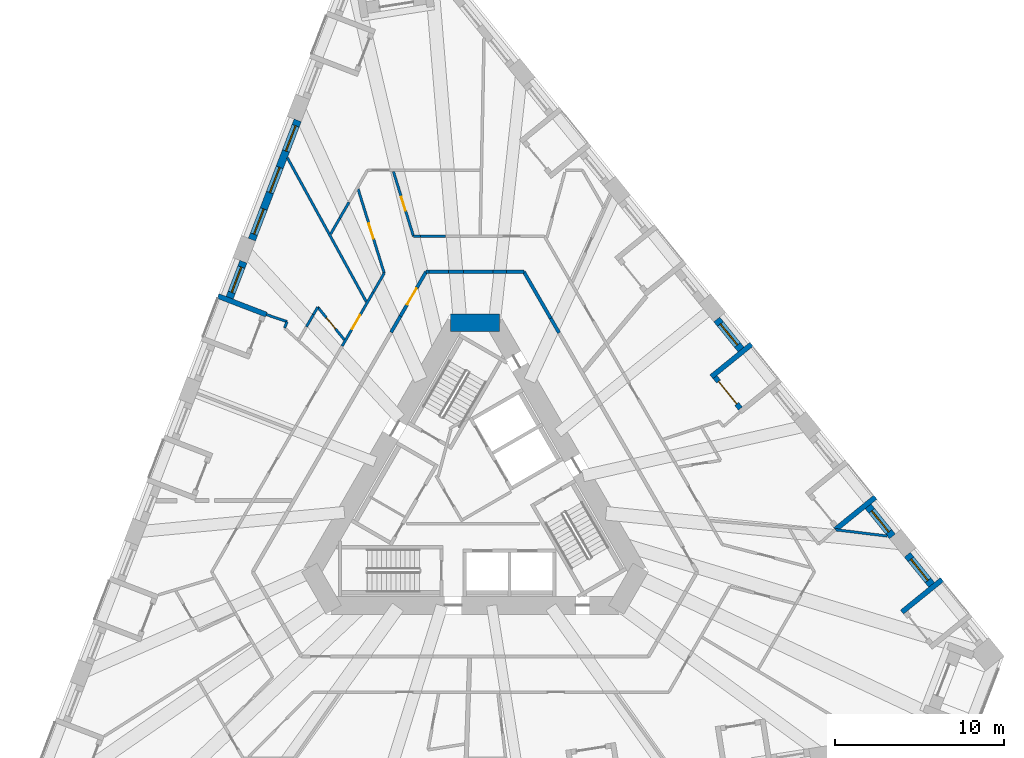
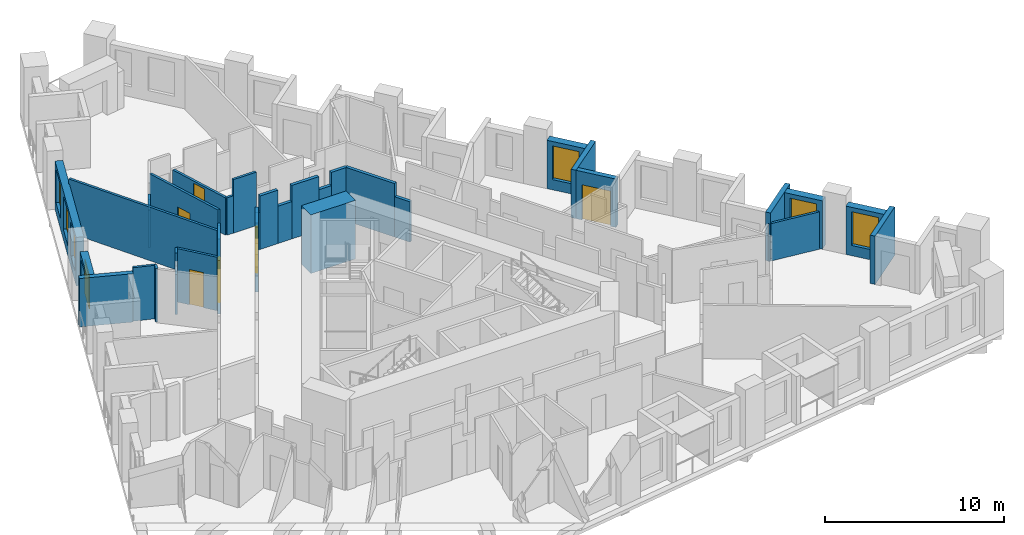
# One storey, part 8 of 14: 37 walls, 7 windows, 6 doors, 13 openings.
"""IFC4 building model written with IfcOpenShell, lengths in metres."""

from ifc_helpers import new_model, si_unit, direction, frame, frame_2d, origin, place, context, subcontext, project, spatial, rectangle, extrude, material, layer, layer_set, type_object, element, fill, save


model = new_model("IFC4")

# Units and contexts
model_context = context("Model", 3, precision=1e-05, world=origin(), true_north=direction((0.0, 1.0)))
body_context = subcontext(model_context, "Body", "Model", "MODEL_VIEW")
ifc_project = project(units=[si_unit("LENGTHUNIT", "METRE"), si_unit("AREAUNIT", "SQUARE_METRE"), si_unit("VOLUMEUNIT", "CUBIC_METRE"), si_unit("PLANEANGLEUNIT", "RADIAN"), si_unit("MASSUNIT", "GRAM", prefix="KILO")], contexts=[model_context])

# Site, building, storey
site_placement = place(None, origin())
site = spatial("IfcSite", under=ifc_project, at=site_placement, CompositionType="ELEMENT")
building_placement = place(site_placement, origin())
building = spatial("IfcBuilding", under=site, at=building_placement, Name="Tramontana Tower", CompositionType="ELEMENT")
storey_placement = place(building_placement, frame((0.0, 0.0, 63.199951171875)))
storey = spatial("IfcBuildingStorey", under=building, at=storey_placement, Name="L13", CompositionType="ELEMENT", Elevation=63.199951171875)

# Walls
ifc_material_1 = material(Name="Concrete 70 MPa", Category="concrete")
ifc_layer_1 = layer(ifc_material_1, 1.050048828125)
ifc_layer_set_1 = layer_set([ifc_layer_1], Name="Core wall 1050 70 MPa")
wall_type_1 = type_object("IfcWallType", Name="Core wall 1050 70 MPa", PredefinedType="SHEAR", material=ifc_layer_set_1)
wall_1_placement = place(storey_placement, frame((1.443359375, 10.47509765625, 0.0), z_axis=(0.0, 0.0, 1.0), x_axis=(-1.0, 0.0, 0.0)))
element("IfcWall", 1, at=wall_1_placement, inside=storey, type_object=wall_type_1, Name="Core wall C0 L13", PredefinedType="SHEAR", context=body_context, shape_type="SweptSolid", body=[
    extrude(rectangle(XDim=2.88671875, YDim=1.050048828125, at=frame_2d((1.443359375, 0.0))), origin(), (0.0, 0.0, 1.0), 4.0),
])
ifc_material_2 = material(Name="Blockwork", Category="masonry")
ifc_layer_2 = layer(ifc_material_2, 0.199951171875)
ifc_layer_set_2 = layer_set([ifc_layer_2], Name="ENTRY WALL 200")
wall_type_2 = type_object("IfcWallType", Name="ENTRY WALL 200", PredefinedType="SOLIDWALL", material=ifc_layer_set_2)
wall_2_placement = place(storey_placement, frame((2.88671875, 13.5, 0.0), z_axis=(0.0, 0.0, 1.0), x_axis=(0.50003154259, -0.866007191896, 0.0)))
element("IfcWall", 2, at=wall_2_placement, inside=storey, type_object=wall_type_2, Name="Wall v11-ew0-0", PredefinedType="SOLIDWALL", context=body_context, shape_type="SweptSolid", body=[
    extrude(rectangle(XDim=3.190673828125, YDim=0.199951171875, at=frame_2d((1.59521484375, 0.0))), origin(), (0.0, 0.0, 1.0), 3.650146484375),
])
wall_3_placement = place(storey_placement, frame((4.482177734375, 10.73681640625, 0.0), z_axis=(0.0, 0.0, 1.0), x_axis=(0.499966601515, -0.86604468555, 0.0)))
element("IfcWall", 3, at=wall_3_placement, inside=storey, type_object=wall_type_2, Name="Wall v11-ew0-1", PredefinedType="SOLIDWALL", context=body_context, shape_type="SweptSolid", body=[
    extrude(rectangle(XDim=0.98095703125, YDim=0.199951171875, at=frame_2d((0.490478515625, 0.0))), origin(), (0.0, 0.0, 1.0), 2.75),
])
wall_4_placement = place(storey_placement, frame((-4.95751953125, 9.913330078125, 0.0), z_axis=(0.0, 0.0, 1.0), x_axis=(0.499951133605, 0.866053614973, 0.0)))
element("IfcWall", 4, at=wall_4_placement, inside=storey, type_object=wall_type_2, Name="Wall v11-ew4-7", PredefinedType="SOLIDWALL", context=body_context, shape_type="SweptSolid", body=[
    extrude(rectangle(XDim=1.10888671875, YDim=0.199951171875, at=frame_2d((0.554443359375, 0.0))), origin(), (0.0, 0.0, 1.0), 2.550048828125),
])

# Wall, opening, door
wall_5_placement = place(storey_placement, frame((-4.403076171875, 10.873779296875, 0.0), z_axis=(0.0, 0.0, 1.0), x_axis=(0.500059920742, 0.865990805764, 0.0)))
wall_5 = element("IfcWall", 5, at=wall_5_placement, inside=storey, type_object=wall_type_2, Name="Wall v11-ew4-8", PredefinedType="SOLIDWALL", context=body_context, shape_type="SweptSolid", body=[
    extrude(rectangle(XDim=1.962158203125, YDim=0.199951171875, at=frame_2d((0.98095703125, 0.0))), origin(), (0.0, 0.0, 1.0), 3.650146484375),
])
opening_1_placement = place(wall_5_placement, frame((0.789306640625, 0.0, 0.0)))
opening_1 = element("IfcOpeningElement", 6, at=opening_1_placement, cuts=wall_5, Name="Opening B1B-29", PredefinedType="OPENING", context=body_context, shape_type="SweptSolid", body=[
    extrude(rectangle(XDim=1.10009765625, YDim=2.39990234375, at=frame_2d((0.550048828125, 1.199951171875))), frame((0.0, 0.10986328125, 0.0), z_axis=(0.0, -1.0, 0.0), x_axis=(1.0, 0.0, 0.0)), (0.0, 0.0, 1.0), 0.219970703125),
])
ifc_material_3 = material(Name="Painted timber", Category="wood")
door_type_1 = type_object("IfcDoorType", Name="DOOR ENTRY 1100", OperationType="SINGLE_SWING_LEFT", PredefinedType="DOOR", material=ifc_material_3)
door_1_placement = place(opening_1_placement, origin())
door_1 = element("IfcDoor", 7, at=door_1_placement, inside=storey, type_object=door_type_1, Name="Door B1B-29", OperationType="SINGLE_SWING_LEFT", OverallHeight=2.39990234375, OverallWidth=1.10009765625, PredefinedType="DOOR", context=body_context, shape_type="SweptSolid", body=[
    extrude(rectangle(XDim=1.10009765625, YDim=2.39990234375, at=frame_2d((0.550048828125, 1.199951171875))), frame((0.0, 0.02490234375, 0.0), z_axis=(0.0, -1.0, 0.0), x_axis=(1.0, 0.0, 0.0)), (0.0, 0.0, 1.0), 0.050048828125),
])
fill(opening_1, door_1)

# Walls
wall_6_placement = place(storey_placement, frame((-3.421875, 12.572998046875, 0.0), z_axis=(0.0, 0.0, 1.0), x_axis=(0.49996596245, 0.866045054481, 0.0)))
element("IfcWall", 8, at=wall_6_placement, inside=storey, type_object=wall_type_2, Name="Wall v11-ew4-9", PredefinedType="SOLIDWALL", context=body_context, shape_type="SweptSolid", body=[
    extrude(rectangle(XDim=1.0703125, YDim=0.199951171875, at=frame_2d((0.53515625, 0.0))), origin(), (0.0, 0.0, 1.0), 2.550048828125),
])
wall_7_placement = place(storey_placement, frame((-2.88671875, 13.5, 0.0), z_axis=(0.0, 0.0, 1.0), x_axis=(1.0, 0.0, 0.0)))
element("IfcWall", 9, at=wall_7_placement, inside=storey, type_object=wall_type_2, Name="Wall v11-ew5-0", PredefinedType="SOLIDWALL", context=body_context, shape_type="SweptSolid", body=[
    extrude(rectangle(XDim=0.171142578125, YDim=0.199951171875, at=frame_2d((0.08544921875, 0.0))), origin(), (0.0, 0.0, 1.0), 2.550048828125),
])
wall_8_placement = place(storey_placement, frame((-2.715576171875, 13.5, 0.0), z_axis=(0.0, 0.0, 1.0), x_axis=(1.0, 0.0, 0.0)))
element("IfcWall", 10, at=wall_8_placement, inside=storey, type_object=wall_type_2, Name="Wall v11-ew5-1", PredefinedType="SOLIDWALL", context=body_context, shape_type="SweptSolid", body=[
    extrude(rectangle(XDim=1.141357421875, YDim=0.199951171875, at=frame_2d((0.57080078125, 0.0))), origin(), (0.0, 0.0, 1.0), 3.650146484375),
])
wall_9_placement = place(storey_placement, frame((-1.57421875, 13.5, 0.0), z_axis=(0.0, 0.0, 1.0), x_axis=(1.0, 0.0, 0.0)))
element("IfcWall", 11, at=wall_9_placement, inside=storey, type_object=wall_type_2, Name="Wall v11-ew5-2", PredefinedType="SOLIDWALL", context=body_context, shape_type="SweptSolid", body=[
    extrude(rectangle(XDim=0.903076171875, YDim=0.199951171875, at=frame_2d((0.45166015625, 0.0))), origin(), (0.0, 0.0, 1.0), 2.550048828125),
])
wall_10_placement = place(storey_placement, frame((-0.671142578125, 13.5, 0.0), z_axis=(0.0, 0.0, 1.0), x_axis=(1.0, 0.0, 0.0)))
element("IfcWall", 12, at=wall_10_placement, inside=storey, type_object=wall_type_2, Name="Wall v11-ew5-3", PredefinedType="SOLIDWALL", context=body_context, shape_type="SweptSolid", body=[
    extrude(rectangle(XDim=1.745361328125, YDim=0.199951171875, at=frame_2d((0.87255859375, 0.0))), origin(), (0.0, 0.0, 1.0), 3.650146484375),
])
wall_11_placement = place(storey_placement, frame((1.07421875, 13.5, 0.0), z_axis=(0.0, 0.0, 1.0), x_axis=(1.0, 0.0, 0.0)))
element("IfcWall", 13, at=wall_11_placement, inside=storey, type_object=wall_type_2, Name="Wall v11-ew5-4", PredefinedType="SOLIDWALL", context=body_context, shape_type="SweptSolid", body=[
    extrude(rectangle(XDim=0.804931640625, YDim=0.199951171875, at=frame_2d((0.40234375, 0.0))), origin(), (0.0, 0.0, 1.0), 2.75),
])
wall_12_placement = place(storey_placement, frame((1.879150390625, 13.5, 0.0), z_axis=(0.0, 0.0, 1.0), x_axis=(1.0, 0.0, 0.0)))
element("IfcWall", 14, at=wall_12_placement, inside=storey, type_object=wall_type_2, Name="Wall v11-ew5-5", PredefinedType="SOLIDWALL", context=body_context, shape_type="SweptSolid", body=[
    extrude(rectangle(XDim=1.007568359375, YDim=0.199951171875, at=frame_2d((0.50390625, 0.0))), origin(), (0.0, 0.0, 1.0), 3.650146484375),
])

# Wall, openings, windows
ifc_material_4 = material(Name="Precast concrete 60 MPa", Category="concrete")
ifc_layer_3 = layer(ifc_material_4, 0.449951171875)
ifc_layer_set_3 = layer_set([ifc_layer_3], Name="Precast concrete 60 MPa, 450 mm")
wall_type_3 = type_object("IfcWallType", Name="EW1 Stone-faced precast wall 450", PredefinedType="SOLIDWALL", material=ifc_layer_set_3)
wall_13_placement = place(storey_placement, frame((-10.47802734375, 22.443603515625, 0.0), z_axis=(0.0, 0.0, 1.0), x_axis=(-0.358339674384, -0.933591279823, 0.0)))
wall_13 = element("IfcWall", 15, at=wall_13_placement, inside=storey, type_object=wall_type_3, Name="External wall L13 face 0 bay 2", PredefinedType="SOLIDWALL", context=body_context, shape_type="SweptSolid", body=[
    extrude(rectangle(XDim=7.548828125, YDim=0.449951171875, at=frame_2d((3.7744140625, 0.0))), origin(), (0.0, 0.0, 1.0), 3.300048828125),
])
opening_2_placement = place(wall_13_placement, frame((0.341552734375, 0.0, 0.699951171875)))
opening_2 = element("IfcOpeningElement", 16, at=opening_2_placement, cuts=wall_13, Name="Opening M1", PredefinedType="OPENING", context=body_context, shape_type="SweptSolid", body=[
    extrude(rectangle(XDim=1.60009765625, YDim=2.300048828125, at=frame_2d((0.800048828125, 1.14990234375))), frame((0.0, 0.23486328125, 0.0), z_axis=(0.0, -1.0, 0.0), x_axis=(1.0, 0.0, 0.0)), (0.0, 0.0, 1.0), 0.469970703125),
])
opening_3_placement = place(wall_13_placement, frame((2.974365234375, 0.0, 0.699951171875)))
opening_3 = element("IfcOpeningElement", 17, at=opening_3_placement, cuts=wall_13, Name="Opening M1", PredefinedType="OPENING", context=body_context, shape_type="SweptSolid", body=[
    extrude(rectangle(XDim=1.60009765625, YDim=2.300048828125, at=frame_2d((0.800048828125, 1.14990234375))), frame((0.0, 0.23486328125, 0.0), z_axis=(0.0, -1.0, 0.0), x_axis=(1.0, 0.0, 0.0)), (0.0, 0.0, 1.0), 0.469970703125),
])
opening_4_placement = place(wall_13_placement, frame((5.607421875, 0.0, 0.699951171875)))
opening_4 = element("IfcOpeningElement", 18, at=opening_4_placement, cuts=wall_13, Name="Opening M1", PredefinedType="OPENING", context=body_context, shape_type="SweptSolid", body=[
    extrude(rectangle(XDim=1.60009765625, YDim=2.300048828125, at=frame_2d((0.800048828125, 1.14990234375))), frame((0.0, 0.23486328125, 0.0), z_axis=(0.0, -1.0, 0.0), x_axis=(1.0, 0.0, 0.0)), (0.0, 0.0, 1.0), 0.469970703125),
])
ifc_material_5 = material(Name="Aluminum frame, double glazing unit", Category="aluminium")
window_type = type_object("IfcWindowType", Name="M1 Window 1.6 x 2.3", PartitioningType="SINGLE_PANEL", PredefinedType="WINDOW", material=ifc_material_5)
window_1_placement = place(opening_2_placement, origin())
window_1 = element("IfcWindow", 19, at=window_1_placement, inside=storey, type_object=window_type, Name="Window M1 L13 face 0 module 4", OverallHeight=2.300048828125, OverallWidth=1.60009765625, PartitioningType="SINGLE_PANEL", PredefinedType="WINDOW", context=body_context, shape_type="SweptSolid", body=[
    extrude(rectangle(XDim=1.60009765625, YDim=2.300048828125, at=frame_2d((0.800048828125, 1.14990234375))), frame((0.0, 0.030029296875, 0.0), z_axis=(0.0, -1.0, 0.0), x_axis=(1.0, 0.0, 0.0)), (0.0, 0.0, 1.0), 0.06005859375),
])
fill(opening_2, window_1)
window_2_placement = place(opening_3_placement, origin())
window_2 = element("IfcWindow", 20, at=window_2_placement, inside=storey, type_object=window_type, Name="Window M1 L13 face 0 module 5", OverallHeight=2.300048828125, OverallWidth=1.60009765625, PartitioningType="SINGLE_PANEL", PredefinedType="WINDOW", context=body_context, shape_type="SweptSolid", body=[
    extrude(rectangle(XDim=1.60009765625, YDim=2.300048828125, at=frame_2d((0.800048828125, 1.14990234375))), frame((0.0, 0.030029296875, 0.0), z_axis=(0.0, -1.0, 0.0), x_axis=(1.0, 0.0, 0.0)), (0.0, 0.0, 1.0), 0.06005859375),
])
fill(opening_3, window_2)
window_3_placement = place(opening_4_placement, origin())
window_3 = element("IfcWindow", 21, at=window_3_placement, inside=storey, type_object=window_type, Name="Window M1 L13 face 0 module 6", OverallHeight=2.300048828125, OverallWidth=1.60009765625, PartitioningType="SINGLE_PANEL", PredefinedType="WINDOW", context=body_context, shape_type="SweptSolid", body=[
    extrude(rectangle(XDim=1.60009765625, YDim=2.300048828125, at=frame_2d((0.800048828125, 1.14990234375))), frame((0.0, 0.030029296875, 0.0), z_axis=(0.0, -1.0, 0.0), x_axis=(1.0, 0.0, 0.0)), (0.0, 0.0, 1.0), 0.06005859375),
])
fill(opening_4, window_3)

# Wall, opening, window
wall_14_placement = place(storey_placement, frame((-13.684814453125, 14.0888671875, 0.0), z_axis=(0.0, 0.0, 1.0), x_axis=(-0.35844875217, -0.933549405264, 0.0)))
wall_14 = element("IfcWall", 22, at=wall_14_placement, inside=storey, type_object=wall_type_3, Name="External wall L13 face 0 bay 3", PredefinedType="SOLIDWALL", context=body_context, shape_type="SweptSolid", body=[
    extrude(rectangle(XDim=2.282958984375, YDim=0.449951171875, at=frame_2d((1.1416015625, 0.0))), origin(), (0.0, 0.0, 1.0), 3.300048828125),
])
opening_5_placement = place(wall_14_placement, frame((0.341552734375, 0.0, 0.699951171875)))
opening_5 = element("IfcOpeningElement", 23, at=opening_5_placement, cuts=wall_14, Name="Opening M1", PredefinedType="OPENING", context=body_context, shape_type="SweptSolid", body=[
    extrude(rectangle(XDim=1.60009765625, YDim=2.300048828125, at=frame_2d((0.800048828125, 1.14990234375))), frame((0.0, 0.23486328125, 0.0), z_axis=(0.0, -1.0, 0.0), x_axis=(1.0, 0.0, 0.0)), (0.0, 0.0, 1.0), 0.469970703125),
])
window_4_placement = place(opening_5_placement, origin())
window_4 = element("IfcWindow", 24, at=window_4_placement, inside=storey, type_object=window_type, Name="Window M1 L13 face 0 module 7", OverallHeight=2.300048828125, OverallWidth=1.60009765625, PartitioningType="SINGLE_PANEL", PredefinedType="WINDOW", context=body_context, shape_type="SweptSolid", body=[
    extrude(rectangle(XDim=1.60009765625, YDim=2.300048828125, at=frame_2d((0.800048828125, 1.14990234375))), frame((0.0, 0.030029296875, 0.0), z_axis=(0.0, -1.0, 0.0), x_axis=(1.0, 0.0, 0.0)), (0.0, 0.0, 1.0), 0.06005859375),
])
fill(opening_5, window_4)

wall_15_placement = place(storey_placement, frame((26.993408203125, -5.009765625, 0.0), z_axis=(0.0, 0.0, 1.0), x_axis=(-0.629339730135, 0.777130300576, 0.0)))
wall_15 = element("IfcWall", 25, at=wall_15_placement, inside=storey, type_object=wall_type_3, Name="External wall L13 face 2 bay 1", PredefinedType="SOLIDWALL", context=body_context, shape_type="SweptSolid", body=[
    extrude(rectangle(XDim=2.282958984375, YDim=0.449951171875, at=frame_2d((1.1416015625, 0.0))), origin(), (0.0, 0.0, 1.0), 3.300048828125),
])
opening_6_placement = place(wall_15_placement, frame((0.341552734375, 0.0, 0.699951171875)))
opening_6 = element("IfcOpeningElement", 26, at=opening_6_placement, cuts=wall_15, Name="Opening M1", PredefinedType="OPENING", context=body_context, shape_type="SweptSolid", body=[
    extrude(rectangle(XDim=1.60009765625, YDim=2.300048828125, at=frame_2d((0.800048828125, 1.14990234375))), frame((0.0, 0.23486328125, 0.0), z_axis=(0.0, -1.0, 0.0), x_axis=(1.0, 0.0, 0.0)), (0.0, 0.0, 1.0), 0.469970703125),
])
window_5_placement = place(opening_6_placement, origin())
window_5 = element("IfcWindow", 27, at=window_5_placement, inside=storey, type_object=window_type, Name="Window M1 L13 face 2 module 3", OverallHeight=2.300048828125, OverallWidth=1.60009765625, PartitioningType="SINGLE_PANEL", PredefinedType="WINDOW", context=body_context, shape_type="SweptSolid", body=[
    extrude(rectangle(XDim=1.60009765625, YDim=2.300048828125, at=frame_2d((0.800048828125, 1.14990234375))), frame((0.0, 0.030029296875, 0.0), z_axis=(0.0, -1.0, 0.0), x_axis=(1.0, 0.0, 0.0)), (0.0, 0.0, 1.0), 0.06005859375),
])
fill(opening_6, window_5)

wall_16_placement = place(storey_placement, frame((24.675537109375, -2.147705078125, 0.0), z_axis=(0.0, 0.0, 1.0), x_axis=(-0.629287431131, 0.777172650716, 0.0)))
wall_16 = element("IfcWall", 28, at=wall_16_placement, inside=storey, type_object=wall_type_3, Name="External wall L13 face 2 bay 2", PredefinedType="SOLIDWALL", context=body_context, shape_type="SweptSolid", body=[
    extrude(rectangle(XDim=2.283203125, YDim=0.449951171875, at=frame_2d((1.1416015625, 0.0))), origin(), (0.0, 0.0, 1.0), 3.300048828125),
])
opening_7_placement = place(wall_16_placement, frame((0.341552734375, 0.0, 0.699951171875)))
opening_7 = element("IfcOpeningElement", 29, at=opening_7_placement, cuts=wall_16, Name="Opening M1", PredefinedType="OPENING", context=body_context, shape_type="SweptSolid", body=[
    extrude(rectangle(XDim=1.60009765625, YDim=2.300048828125, at=frame_2d((0.800048828125, 1.14990234375))), frame((0.0, 0.23486328125, 0.0), z_axis=(0.0, -1.0, 0.0), x_axis=(1.0, 0.0, 0.0)), (0.0, 0.0, 1.0), 0.469970703125),
])
window_6_placement = place(opening_7_placement, origin())
window_6 = element("IfcWindow", 30, at=window_6_placement, inside=storey, type_object=window_type, Name="Window M1 L13 face 2 module 4", OverallHeight=2.300048828125, OverallWidth=1.60009765625, PartitioningType="SINGLE_PANEL", PredefinedType="WINDOW", context=body_context, shape_type="SweptSolid", body=[
    extrude(rectangle(XDim=1.60009765625, YDim=2.300048828125, at=frame_2d((0.800048828125, 1.14990234375))), frame((0.0, 0.030029296875, 0.0), z_axis=(0.0, -1.0, 0.0), x_axis=(1.0, 0.0, 0.0)), (0.0, 0.0, 1.0), 0.06005859375),
])
fill(opening_7, window_6)

wall_17_placement = place(storey_placement, frame((15.72998046875, 8.8994140625, 0.0), z_axis=(0.0, 0.0, 1.0), x_axis=(-0.629339730135, 0.777130300576, 0.0)))
wall_17 = element("IfcWall", 31, at=wall_17_placement, inside=storey, type_object=wall_type_3, Name="External wall L13 face 2 bay 3", PredefinedType="SOLIDWALL", context=body_context, shape_type="SweptSolid", body=[
    extrude(rectangle(XDim=2.282958984375, YDim=0.449951171875, at=frame_2d((1.1416015625, 0.0))), origin(), (0.0, 0.0, 1.0), 3.300048828125),
])
opening_8_placement = place(wall_17_placement, frame((0.341552734375, 0.0, 0.699951171875)))
opening_8 = element("IfcOpeningElement", 32, at=opening_8_placement, cuts=wall_17, Name="Opening M1", PredefinedType="OPENING", context=body_context, shape_type="SweptSolid", body=[
    extrude(rectangle(XDim=1.60009765625, YDim=2.300048828125, at=frame_2d((0.800048828125, 1.14990234375))), frame((0.0, 0.23486328125, 0.0), z_axis=(0.0, -1.0, 0.0), x_axis=(1.0, 0.0, 0.0)), (0.0, 0.0, 1.0), 0.469970703125),
])
window_7_placement = place(opening_8_placement, origin())
window_7 = element("IfcWindow", 33, at=window_7_placement, inside=storey, type_object=window_type, Name="Window M1 L13 face 2 module 9", OverallHeight=2.300048828125, OverallWidth=1.60009765625, PartitioningType="SINGLE_PANEL", PredefinedType="WINDOW", context=body_context, shape_type="SweptSolid", body=[
    extrude(rectangle(XDim=1.60009765625, YDim=2.300048828125, at=frame_2d((0.800048828125, 1.14990234375))), frame((0.0, 0.030029296875, 0.0), z_axis=(0.0, -1.0, 0.0), x_axis=(1.0, 0.0, 0.0)), (0.0, 0.0, 1.0), 0.06005859375),
])
fill(opening_8, window_7)

# Walls
ifc_material_6 = material(Name="Precast concrete 60 MPa", Category="concrete")
ifc_layer_4 = layer(ifc_material_6, 0.300048828125)
ifc_layer_set_4 = layer_set([ifc_layer_4], Name="LW1 Stone-faced loggia wall 300")
wall_type_4 = type_object("IfcWallType", Name="LW1 Stone-faced loggia wall 300", PredefinedType="SOLIDWALL", material=ifc_layer_set_4)
for number, where, z_axis, x_axis, name in (
    (34, (-15.18701171875, 12.0595703125, 0.0), (0.0, 0.0, 1.0), (0.933580593625, -0.358367514161, 0.0), "Loggia return L13 G1S0.7a"),
    (35, (27.6123046875, -4.70166015625, 0.0), (0.0, 0.0, 1.0), (-0.777153523895, -0.629311052102, 0.0), "Loggia return L13 G1S2.1b"),
):
    element("IfcWall", number, at=place(storey_placement, frame(where, z_axis=z_axis, x_axis=x_axis)), inside=storey, type_object=wall_type_4, Name=name, PredefinedType="SOLIDWALL", context=body_context, shape_type="SweptSolid", body=[
        extrude(rectangle(XDim=3.050048828125, YDim=0.300048828125, at=frame_2d((1.52490234375, 0.0))), origin(), (0.0, 0.0, 1.0), 3.300048828125),
    ])
wall_18_placement = place(storey_placement, frame((23.6689453125, 0.16796875, 0.0), z_axis=(0.0, 0.0, 1.0), x_axis=(-0.777121820661, -0.629350201281, 0.0)))
element("IfcWall", 36, at=wall_18_placement, inside=storey, type_object=wall_type_4, Name="Loggia return L13 G1S2.4a", PredefinedType="SOLIDWALL", context=body_context, shape_type="SweptSolid", body=[
    extrude(rectangle(XDim=3.0498046875, YDim=0.300048828125, at=frame_2d((1.52490234375, 0.0))), origin(), (0.0, 0.0, 1.0), 3.300048828125),
])

# Wall, opening, door
wall_19_placement = place(storey_placement, frame((15.689208984375, 5.4140625, 0.0), z_axis=(0.0, 0.0, 1.0), x_axis=(-0.629319049918, 0.777147047482, 0.0)))
wall_19 = element("IfcWall", 37, at=wall_19_placement, inside=storey, type_object=wall_type_4, Name="Loggia wall L13 G1S2.7", PredefinedType="SOLIDWALL", context=body_context, shape_type="SweptSolid", body=[
    extrude(rectangle(XDim=2.383056640625, YDim=0.300048828125, at=frame_2d((1.19140625, 0.0))), origin(), (0.0, 0.0, 1.0), 3.300048828125),
])
opening_9_placement = place(wall_19_placement, frame((0.341552734375, 0.0, 0.0)))
opening_9 = element("IfcOpeningElement", 38, at=opening_9_placement, cuts=wall_19, Name="Opening BD-1S2-07", PredefinedType="OPENING", context=body_context, shape_type="SweptSolid", body=[
    extrude(rectangle(XDim=1.699951171875, YDim=2.39990234375, at=frame_2d((0.85009765625, 1.199951171875))), frame((0.0, 0.159912109375, 0.0), z_axis=(0.0, -1.0, 0.0), x_axis=(1.0, 0.0, 0.0)), (0.0, 0.0, 1.0), 0.320068359375),
])
ifc_material_7 = material(Name="Aluminum frame, double glazing unit", Category="aluminium")
door_type_2 = type_object("IfcDoorType", Name="BD1 Sliding door 1.7 x 2.4", OperationType="SLIDING_TO_LEFT", PredefinedType="DOOR", material=ifc_material_7)
door_2_placement = place(opening_9_placement, origin())
door_2 = element("IfcDoor", 39, at=door_2_placement, inside=storey, type_object=door_type_2, Name="Loggia door L13 G1S2.7", OperationType="SLIDING_TO_LEFT", OverallHeight=2.39990234375, OverallWidth=1.699951171875, PredefinedType="DOOR", context=body_context, shape_type="SweptSolid", body=[
    extrude(rectangle(XDim=1.699951171875, YDim=2.39990234375, at=frame_2d((0.85009765625, 1.199951171875))), frame((0.0, 0.02490234375, 0.0), z_axis=(0.0, -1.0, 0.0), x_axis=(1.0, 0.0, 0.0)), (0.0, 0.0, 1.0), 0.050048828125),
])
fill(opening_9, door_2)

# Wall
wall_20_placement = place(storey_placement, frame((16.348876953125, 9.207763671875, 0.0), z_axis=(0.0, 0.0, 1.0), x_axis=(-0.777153523895, -0.629311052102, 0.0)))
element("IfcWall", 40, at=wall_20_placement, inside=storey, type_object=wall_type_4, Name="Loggia return L13 G1S2.7b", PredefinedType="SOLIDWALL", context=body_context, shape_type="SweptSolid", body=[
    extrude(rectangle(XDim=3.050048828125, YDim=0.300048828125, at=frame_2d((1.52490234375, 0.0))), origin(), (0.0, 0.0, 1.0), 3.300048828125),
])

# Wall, opening, door
ifc_material_8 = material(Name="Gypsum board partition")
ifc_layer_5 = layer(ifc_material_8, 0.14990234375)
ifc_layer_set_5 = layer_set([ifc_layer_5], Name="PARTITION 150")
wall_type_5 = type_object("IfcWallType", Name="PARTITION 150", PredefinedType="PARTITIONING", material=ifc_layer_set_5)
wall_21_placement = place(storey_placement, frame((-7.85107421875, 9.1015625, 0.0), z_axis=(0.0, 0.0, 1.0), x_axis=(0.500002145574, 0.866024165033, 0.0)))
wall_21 = element("IfcWall", 41, at=wall_21_placement, inside=storey, type_object=wall_type_5, Name="Wall v11-pw05-6", PredefinedType="PARTITIONING", context=body_context, shape_type="SweptSolid", body=[
    extrude(rectangle(XDim=3.67724609375, YDim=0.14990234375, at=frame_2d((1.838623046875, 0.0))), origin(), (0.0, 0.0, 1.0), 3.650146484375),
])
opening_10_placement = place(wall_21_placement, frame((1.174072265625, 0.0, 0.0)))
opening_10 = element("IfcOpeningElement", 42, at=opening_10_placement, cuts=wall_21, Name="Opening B1B-06", PredefinedType="OPENING", context=body_context, shape_type="SweptSolid", body=[
    extrude(rectangle(XDim=0.949951171875, YDim=2.39990234375, at=frame_2d((0.47509765625, 1.199951171875))), frame((0.0, 0.0849609375, 0.0), z_axis=(0.0, -1.0, 0.0), x_axis=(1.0, 0.0, 0.0)), (0.0, 0.0, 1.0), 0.169921875),
])
ifc_material_9 = material(Name="Painted timber", Category="wood")
door_type_3 = type_object("IfcDoorType", Name="DOOR ROOM 950", OperationType="SINGLE_SWING_LEFT", PredefinedType="DOOR", material=ifc_material_9)
door_3_placement = place(opening_10_placement, origin())
door_3 = element("IfcDoor", 43, at=door_3_placement, inside=storey, type_object=door_type_3, Name="Door B1B-06", OperationType="SINGLE_SWING_RIGHT", OverallHeight=2.39990234375, OverallWidth=0.949951171875, PredefinedType="DOOR", context=body_context, shape_type="SweptSolid", body=[
    extrude(rectangle(XDim=0.949951171875, YDim=2.39990234375, at=frame_2d((0.47509765625, 1.199951171875))), frame((0.0, 0.02490234375, 0.0), z_axis=(0.0, -1.0, 0.0), x_axis=(1.0, 0.0, 0.0)), (0.0, 0.0, 1.0), 0.050048828125),
])
fill(opening_10, door_3)

# Walls
wall_22_placement = place(storey_placement, frame((-6.012451171875, 12.2861328125, 0.0), z_axis=(0.0, 0.0, 1.0), x_axis=(0.49996696679, 0.866044474677, 0.0)))
element("IfcWall", 44, at=wall_22_placement, inside=storey, type_object=wall_type_5, Name="Wall v11-pw05-7", PredefinedType="PARTITIONING", context=body_context, shape_type="SweptSolid", body=[
    extrude(rectangle(XDim=1.29638671875, YDim=0.14990234375, at=frame_2d((0.648193359375, 0.0))), origin(), (0.0, 0.0, 1.0), 2.550048828125),
])
wall_23_placement = place(storey_placement, frame((-11.251953125, 10.171875, 0.0), z_axis=(0.0, 0.0, 1.0), x_axis=(0.358733772411, 0.933439918008, 0.0)))
element("IfcWall", 45, at=wall_23_placement, inside=storey, type_object=wall_type_5, Name="Wall v11-pw13", PredefinedType="PARTITIONING", context=body_context, shape_type="SweptSolid", body=[
    extrude(rectangle(XDim=0.400146484375, YDim=0.14990234375, at=frame_2d((0.2001953125, 0.0))), origin(), (0.0, 0.0, 1.0), 3.650146484375),
])
wall_24_placement = place(storey_placement, frame((-11.109619140625, 10.548095703125, 0.0), z_axis=(0.0, 0.0, 1.0), x_axis=(-0.946710875396, 0.322084644785, 0.0)))
element("IfcWall", 46, at=wall_24_placement, inside=storey, type_object=wall_type_5, Name="Wall v11-pw14", PredefinedType="PARTITIONING", context=body_context, shape_type="SweptSolid", body=[
    extrude(rectangle(XDim=1.29931640625, YDim=0.14990234375, at=frame_2d((0.649658203125, 0.0))), origin(), (0.0, 0.0, 1.0), 3.650146484375),
])
wall_25_placement = place(storey_placement, frame((-9.960205078125, 10.24853515625, 0.0), z_axis=(0.0, 0.0, 1.0), x_axis=(0.499921960197, 0.866070455398, 0.0)))
element("IfcWall", 47, at=wall_25_placement, inside=storey, type_object=wall_type_5, Name="Wall v11-pw18-1", PredefinedType="PARTITIONING", context=body_context, shape_type="SweptSolid", body=[
    extrude(rectangle(XDim=0.812255859375, YDim=0.14990234375, at=frame_2d((0.40625, 0.0))), origin(), (0.0, 0.0, 1.0), 2.75),
])
wall_26_placement = place(storey_placement, frame((-9.55419921875, 10.951904296875, 0.0), z_axis=(0.0, 0.0, 1.0), x_axis=(0.500153222552, 0.865936922628, 0.0)))
element("IfcWall", 48, at=wall_26_placement, inside=storey, type_object=wall_type_5, Name="Wall v11-pw18-2", PredefinedType="PARTITIONING", context=body_context, shape_type="SweptSolid", body=[
    extrude(rectangle(XDim=0.523193359375, YDim=0.14990234375, at=frame_2d((0.26171875, 0.0))), origin(), (0.0, 0.0, 1.0), 3.650146484375),
])

# Wall, opening, door
wall_27_placement = place(storey_placement, frame((-7.72119140625, 9.4765625, 0.0), z_axis=(0.0, 0.0, 1.0), x_axis=(-0.631659843524, 0.775245665631, 0.0)))
wall_27 = element("IfcWall", 49, at=wall_27_placement, inside=storey, type_object=wall_type_5, Name="Wall v11-pw20", PredefinedType="PARTITIONING", context=body_context, shape_type="SweptSolid", body=[
    extrude(rectangle(XDim=2.487548828125, YDim=0.14990234375, at=frame_2d((1.24365234375, 0.0))), origin(), (0.0, 0.0, 1.0), 3.650146484375),
])
opening_11_placement = place(wall_27_placement, frame((0.81884765625, 0.0, 0.0)))
opening_11 = element("IfcOpeningElement", 50, at=opening_11_placement, cuts=wall_27, Name="Opening B1B-11", PredefinedType="OPENING", context=body_context, shape_type="SweptSolid", body=[
    extrude(rectangle(XDim=0.85009765625, YDim=2.39990234375, at=frame_2d((0.425048828125, 1.199951171875))), frame((0.0, 0.0849609375, 0.0), z_axis=(0.0, -1.0, 0.0), x_axis=(1.0, 0.0, 0.0)), (0.0, 0.0, 1.0), 0.169921875),
])
ifc_material_10 = material(Name="Painted timber", Category="wood")
door_type_4 = type_object("IfcDoorType", Name="DOOR BATH 850", OperationType="SINGLE_SWING_LEFT", PredefinedType="DOOR", material=ifc_material_10)
door_4_placement = place(opening_11_placement, origin())
door_4 = element("IfcDoor", 51, at=door_4_placement, inside=storey, type_object=door_type_4, Name="Door B1B-11", OperationType="SINGLE_SWING_LEFT", OverallHeight=2.39990234375, OverallWidth=0.85009765625, PredefinedType="DOOR", context=body_context, shape_type="SweptSolid", body=[
    extrude(rectangle(XDim=0.85009765625, YDim=2.39990234375, at=frame_2d((0.425048828125, 1.199951171875))), frame((0.0, 0.02490234375, 0.0), z_axis=(0.0, -1.0, 0.0), x_axis=(1.0, 0.0, 0.0)), (0.0, 0.0, 1.0), 0.050048828125),
])
fill(opening_11, door_4)

# Walls
wall_28_placement = place(storey_placement, frame((-8.53076171875, 15.724365234375, 0.0), z_axis=(0.0, 0.0, 1.0), x_axis=(0.499993928037, 0.866028909405, 0.0)))
element("IfcWall", 52, at=wall_28_placement, inside=storey, type_object=wall_type_5, Name="Wall v11-pw22-0", PredefinedType="PARTITIONING", context=body_context, shape_type="SweptSolid", body=[
    extrude(rectangle(XDim=1.08984375, YDim=0.14990234375, at=frame_2d((0.544921875, 0.0))), origin(), (0.0, 0.0, 1.0), 3.650146484375),
])
wall_29_placement = place(storey_placement, frame((-7.98583984375, 16.668212890625, 0.0), z_axis=(0.0, 0.0, 1.0), x_axis=(0.500107854436, 0.865963125042, 0.0)))
element("IfcWall", 53, at=wall_29_placement, inside=storey, type_object=wall_type_5, Name="Wall v11-pw22-1", PredefinedType="PARTITIONING", context=body_context, shape_type="SweptSolid", body=[
    extrude(rectangle(XDim=1.078369140625, YDim=0.14990234375, at=frame_2d((0.5390625, 0.0))), origin(), (0.0, 0.0, 1.0), 2.550048828125),
])
wall_30_placement = place(storey_placement, frame((-6.423828125, 11.723388671875, 0.0), z_axis=(0.0, 0.0, 1.0), x_axis=(-0.48054737778, 0.876968766666, 0.0)))
element("IfcWall", 54, at=wall_30_placement, inside=storey, type_object=wall_type_5, Name="Wall v11-pw24", PredefinedType="PARTITIONING", context=body_context, shape_type="SweptSolid", body=[
    extrude(rectangle(XDim=9.70166015625, YDim=0.14990234375, at=frame_2d((4.850830078125, 0.0))), origin(), (0.0, 0.0, 1.0), 3.650146484375),
])

# Wall, opening, door
wall_31_placement = place(storey_placement, frame((-5.3642578125, 13.408935546875, 0.0), z_axis=(0.0, 0.0, 1.0), x_axis=(-0.296294566298, 0.95509660767, 0.0)))
wall_31 = element("IfcWall", 55, at=wall_31_placement, inside=storey, type_object=wall_type_5, Name="Wall v11-pw26", PredefinedType="PARTITIONING", context=body_context, shape_type="SweptSolid", body=[
    extrude(rectangle(XDim=5.2099609375, YDim=0.14990234375, at=frame_2d((2.60498046875, 0.0))), origin(), (0.0, 0.0, 1.0), 3.650146484375),
])
opening_12_placement = place(wall_31_placement, frame((2.130126953125, 0.0, 0.0)))
opening_12 = element("IfcOpeningElement", 56, at=opening_12_placement, cuts=wall_31, Name="Opening B1B-01", PredefinedType="OPENING", context=body_context, shape_type="SweptSolid", body=[
    extrude(rectangle(XDim=0.949951171875, YDim=2.39990234375, at=frame_2d((0.47509765625, 1.199951171875))), frame((0.0, 0.0849609375, 0.0), z_axis=(0.0, -1.0, 0.0), x_axis=(1.0, 0.0, 0.0)), (0.0, 0.0, 1.0), 0.169921875),
])
door_5_placement = place(opening_12_placement, origin())
door_5 = element("IfcDoor", 57, at=door_5_placement, inside=storey, type_object=door_type_3, Name="Door B1B-01", OperationType="SINGLE_SWING_LEFT", OverallHeight=2.39990234375, OverallWidth=0.949951171875, PredefinedType="DOOR", context=body_context, shape_type="SweptSolid", body=[
    extrude(rectangle(XDim=0.949951171875, YDim=2.39990234375, at=frame_2d((0.47509765625, 1.199951171875))), frame((0.0, 0.02490234375, 0.0), z_axis=(0.0, -1.0, 0.0), x_axis=(1.0, 0.0, 0.0)), (0.0, 0.0, 1.0), 0.050048828125),
])
fill(opening_12, door_5)

wall_32_placement = place(storey_placement, frame((-4.822509765625, 19.425048828125, 0.0), z_axis=(0.0, 0.0, 1.0), x_axis=(0.296334021044, -0.955084366939, 0.0)))
wall_32 = element("IfcWall", 58, at=wall_32_placement, inside=storey, type_object=wall_type_5, Name="Wall v11-pw27-0", PredefinedType="PARTITIONING", context=body_context, shape_type="SweptSolid", body=[
    extrude(rectangle(XDim=4.0048828125, YDim=0.14990234375, at=frame_2d((2.00244140625, 0.0))), origin(), (0.0, 0.0, 1.0), 2.550048828125),
])
opening_13_placement = place(wall_32_placement, frame((1.577392578125, 0.0, 0.0)))
opening_13 = element("IfcOpeningElement", 59, at=opening_13_placement, cuts=wall_32, Name="Opening B1B-02", PredefinedType="OPENING", context=body_context, shape_type="SweptSolid", body=[
    extrude(rectangle(XDim=0.85009765625, YDim=2.39990234375, at=frame_2d((0.425048828125, 1.199951171875))), frame((0.0, 0.0849609375, 0.0), z_axis=(0.0, -1.0, 0.0), x_axis=(1.0, 0.0, 0.0)), (0.0, 0.0, 1.0), 0.169921875),
])
door_6_placement = place(opening_13_placement, origin())
door_6 = element("IfcDoor", 60, at=door_6_placement, inside=storey, type_object=door_type_4, Name="Door B1B-02", OperationType="SINGLE_SWING_RIGHT", OverallHeight=2.39990234375, OverallWidth=0.85009765625, PredefinedType="DOOR", context=body_context, shape_type="SweptSolid", body=[
    extrude(rectangle(XDim=0.85009765625, YDim=2.39990234375, at=frame_2d((0.425048828125, 1.199951171875))), frame((0.0, 0.02490234375, 0.0), z_axis=(0.0, -1.0, 0.0), x_axis=(1.0, 0.0, 0.0)), (0.0, 0.0, 1.0), 0.050048828125),
])
fill(opening_13, door_6)

# Walls
wall_33_placement = place(storey_placement, frame((-3.6357421875, 15.60009765625, 0.0), z_axis=(0.0, 0.0, 1.0), x_axis=(1.0, 0.0, 0.0)))
element("IfcWall", 61, at=wall_33_placement, inside=storey, type_object=wall_type_5, Name="Wall v11-pw28-0", PredefinedType="PARTITIONING", context=body_context, shape_type="SweptSolid", body=[
    extrude(rectangle(XDim=0.4130859375, YDim=0.14990234375, at=frame_2d((0.20654296875, 0.0))), origin(), (0.0, 0.0, 1.0), 2.550048828125),
])
wall_34_placement = place(storey_placement, frame((-3.22265625, 15.60009765625, 0.0), z_axis=(0.0, 0.0, 1.0), x_axis=(1.0, 0.0, 0.0)))
element("IfcWall", 62, at=wall_34_placement, inside=storey, type_object=wall_type_5, Name="Wall v11-pw28-1", PredefinedType="PARTITIONING", context=body_context, shape_type="SweptSolid", body=[
    extrude(rectangle(XDim=1.486328125, YDim=0.14990234375, at=frame_2d((0.7431640625, 0.0))), origin(), (0.0, 0.0, 1.0), 3.650146484375),
])
wall_35_placement = place(storey_placement, frame((21.298828125, -1.75146484375, 0.0), z_axis=(0.0, 0.0, 1.0), x_axis=(0.992571228933, -0.121664931241, 0.0)))
element("IfcWall", 63, at=wall_35_placement, inside=storey, type_object=wall_type_5, Name="Wall v11-pw57-0", PredefinedType="PARTITIONING", context=body_context, shape_type="SweptSolid", body=[
    extrude(rectangle(XDim=3.09423828125, YDim=0.14990234375, at=frame_2d((1.547119140625, 0.0))), origin(), (0.0, 0.0, 1.0), 2.550048828125),
])

save(model, "model.ifc")
